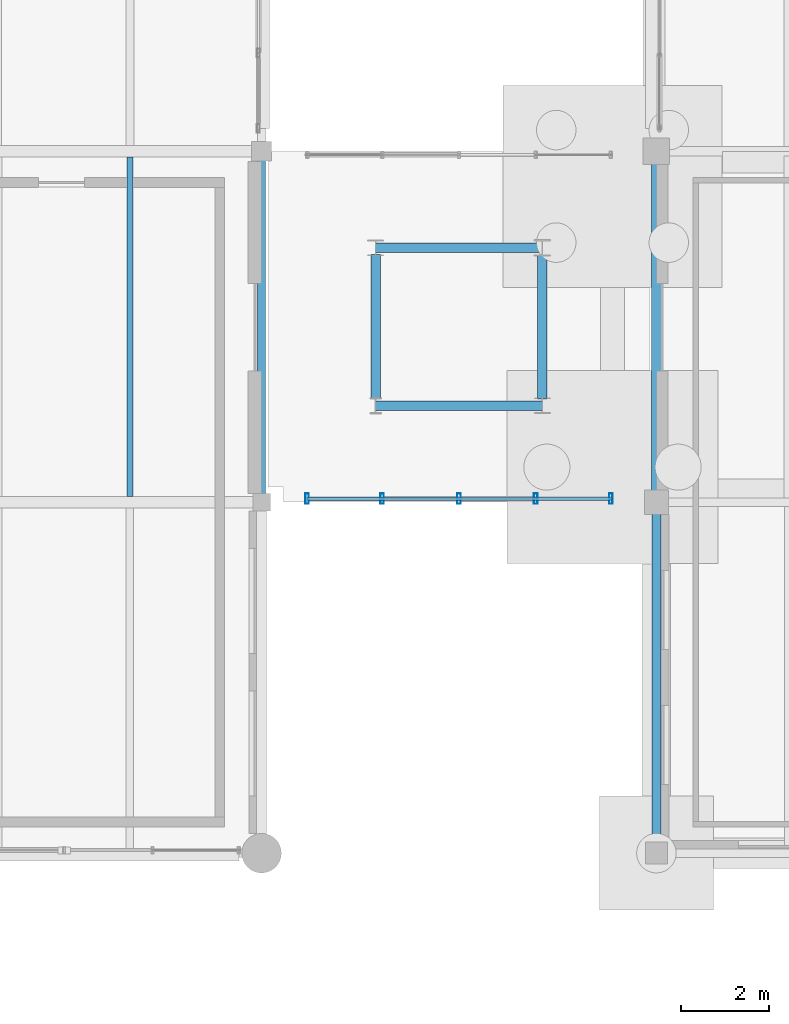
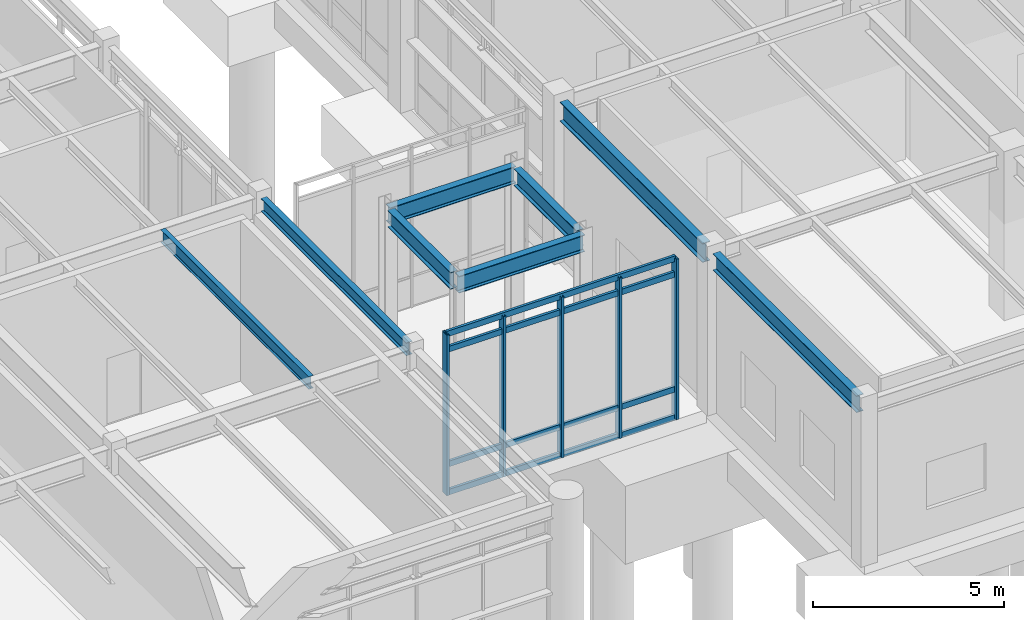
# One storey, part 95 of 203: 9 members, 8 beams, 1 element without a shape of its own.
"""IFC4 building model written with IfcOpenShell, lengths in metres."""

from ifc_helpers import new_model, si_unit, direction, frame, origin, origin_2d, place, context, subcontext, project, spatial, hollow_rectangle, i_section, extrude, material, material_profile, profile_set, type_object, element, aggregate, save


model = new_model("IFC4")

# Units and contexts
model_context = context("Model", 3, precision=1e-05, world=origin(), true_north=direction((0.0, 1.0)))
body_context = subcontext(model_context, "Body", "Model", "MODEL_VIEW")
ifc_project = project(units=[si_unit("LENGTHUNIT", "METRE"), si_unit("AREAUNIT", "SQUARE_METRE"), si_unit("VOLUMEUNIT", "CUBIC_METRE"), si_unit("PLANEANGLEUNIT", "RADIAN"), si_unit("MASSUNIT", "GRAM", prefix="KILO"), si_unit("THERMODYNAMICTEMPERATUREUNIT", "KELVIN"), si_unit("POWERUNIT", "WATT")], contexts=[model_context])

# Site, building, storey
site_placement = place(None, origin())
site = spatial("IfcSite", under=ifc_project, at=site_placement, CompositionType="ELEMENT")
building_placement = place(site_placement, origin())
building = spatial("IfcBuilding", under=site, at=building_placement, Name="Tepalcoro Natatorium and Aquatics Centre", CompositionType="ELEMENT")
storey_placement = place(building_placement, origin())
storey = spatial("IfcBuildingStorey", under=building, at=storey_placement, Name="L00", CompositionType="ELEMENT", Elevation=0.0)

# Beams
ifc_material_1 = material(Name="Steel ASTM A992 Grade 50 (Fy 345 MPa)", Category="steel")
ifc_material_profile_1 = material_profile(ifc_material_1, i_section(OverallWidth=0.2109375, OverallDepth=0.5380859375, WebThickness=0.011962890625, FlangeThickness=0.01904296875, FilletRadius=0.013916015625, at=origin_2d()), Name="W21X73")
ifc_profile_set_1 = profile_set([ifc_material_profile_1], Name="Steel ASTM A992 Grade 50 (Fy 345 MPa)")
beam_type_1 = type_object("IfcBeamType", Name="BM_LINK_LB1", PredefinedType="BEAM", material=ifc_profile_set_1)
for number, where, z_axis, x_axis, name in (
    (1, (91.60009765625, 96.199951171875, 4.89599609375), (1.0, 0.0, 0.0), (0.0, 1.0, 0.0), "Seismic passage link beam LB1 (V6N L00)"),
    (2, (91.60009765625, 99.800048828125, 4.89599609375), (1.0, 0.0, 0.0), (0.0, 1.0, 0.0), "Seismic passage link beam LB1 (V6N L00)"),
):
    element("IfcBeam", number, at=place(storey_placement, frame(where, z_axis=z_axis, x_axis=x_axis)), inside=storey, type_object=beam_type_1, Name=name, PredefinedType="BEAM", context=body_context, shape_type="SweptSolid", body=[
        extrude(i_section(OverallWidth=0.2109375, OverallDepth=0.5380859375, WebThickness=0.011962890625, FlangeThickness=0.01904296875, FilletRadius=0.013916015625, at=origin_2d()), origin(), (0.0, 0.0, 1.0), 3.7998046875),
    ])
beam_1_placement = place(storey_placement, frame((91.60009765625, 96.35693359375, 4.89599609375), z_axis=(0.0, 1.0, 0.0), x_axis=(-1.0, 0.0, 0.0)))
element("IfcBeam", 3, at=beam_1_placement, inside=storey, type_object=beam_type_1, Name="Seismic passage link beam LB1 (V6N L00)", PredefinedType="BEAM", context=body_context, shape_type="SweptSolid", body=[
    extrude(i_section(OverallWidth=0.2109375, OverallDepth=0.5380859375, WebThickness=0.011962890625, FlangeThickness=0.01904296875, FilletRadius=0.013916015625, at=origin_2d()), origin(), (0.0, 0.0, 1.0), 3.2861328125),
])
beam_2_placement = place(storey_placement, frame((95.39990234375, 96.35693359375, 4.89599609375), z_axis=(0.0, 1.0, 0.0), x_axis=(-1.0, 0.0, 0.0)))
element("IfcBeam", 4, at=beam_2_placement, inside=storey, type_object=beam_type_1, Name="Seismic passage link beam LB1 (V6N L00)", PredefinedType="BEAM", context=body_context, shape_type="SweptSolid", body=[
    extrude(i_section(OverallWidth=0.2109375, OverallDepth=0.5380859375, WebThickness=0.011962890625, FlangeThickness=0.01904296875, FilletRadius=0.013916015625, at=origin_2d()), origin(), (0.0, 0.0, 1.0), 3.280029296875),
])

# Curtain wall, members
ifc_material_2 = material(Name="Bronze-Anodised Extruded Aluminium Alloy EN AW-6063 T6", Category="aluminium")
curtain_wall_type = type_object("IfcCurtainWallType", Name="CW_LINK_150", PredefinedType="USERDEFINED", material=ifc_material_2)
curtain_wall_placement = place(storey_placement, origin())
curtain_wall = element("IfcCurtainWall", 5, at=curtain_wall_placement, inside=storey, type_object=curtain_wall_type, Name="North Spine Seismic Link Glazed Wall S L00", ObjectType="UNITISED STOREFRONT", PredefinedType="USERDEFINED")
ifc_material_profile_2 = material_profile(ifc_material_2, hollow_rectangle(XDim=0.080078125, YDim=0.239990234375, WallThickness=0.0048828125, at=origin_2d()), Name="AL80X240X5")
ifc_profile_set_2 = profile_set([ifc_material_profile_2], Name="Bronze-Anodised Extruded Aluminium Alloy EN AW-6063 T6")
member_type_1 = type_object("IfcMemberType", Name="CW_MUL_80x240", PredefinedType="MULLION", material=ifc_profile_set_2)
member_1_placement = place(storey_placement, frame((90.0400390625, 94.080078125, 0.02001953125), z_axis=(0.0, 0.0, 1.0), x_axis=(1.0, 0.0, 0.0)))
member_1 = element("IfcMember", 6, at=member_1_placement, type_object=member_type_1, Name="CW_LINK_150 Curtain Wall Mullion", PredefinedType="MULLION", context=body_context, shape_type="SweptSolid", body=[
    extrude(hollow_rectangle(XDim=0.080078125, YDim=0.239990234375, WallThickness=0.0048828125, at=origin_2d()), origin(), (0.0, 0.0, 1.0), 5.119873046875),
])
member_2_placement = place(storey_placement, frame((91.75, 94.080078125, 0.02001953125), z_axis=(0.0, 0.0, 1.0), x_axis=(1.0, 0.0, 0.0)))
member_2 = element("IfcMember", 7, at=member_2_placement, type_object=member_type_1, Name="CW_LINK_150 Curtain Wall Mullion", PredefinedType="MULLION", context=body_context, shape_type="SweptSolid", body=[
    extrude(hollow_rectangle(XDim=0.080078125, YDim=0.239990234375, WallThickness=0.0048828125, at=origin_2d()), origin(), (0.0, 0.0, 1.0), 5.119873046875),
])
member_3_placement = place(storey_placement, frame((93.5, 94.080078125, 0.02001953125), z_axis=(0.0, 0.0, 1.0), x_axis=(1.0, 0.0, 0.0)))
member_3 = element("IfcMember", 8, at=member_3_placement, type_object=member_type_1, Name="CW_LINK_150 Curtain Wall Mullion", PredefinedType="MULLION", context=body_context, shape_type="SweptSolid", body=[
    extrude(hollow_rectangle(XDim=0.080078125, YDim=0.239990234375, WallThickness=0.0048828125, at=origin_2d()), origin(), (0.0, 0.0, 1.0), 5.119873046875),
])
member_4_placement = place(storey_placement, frame((95.25, 94.080078125, 0.02001953125), z_axis=(0.0, 0.0, 1.0), x_axis=(1.0, 0.0, 0.0)))
member_4 = element("IfcMember", 9, at=member_4_placement, type_object=member_type_1, Name="CW_LINK_150 Curtain Wall Mullion", PredefinedType="MULLION", context=body_context, shape_type="SweptSolid", body=[
    extrude(hollow_rectangle(XDim=0.080078125, YDim=0.239990234375, WallThickness=0.0048828125, at=origin_2d()), origin(), (0.0, 0.0, 1.0), 5.119873046875),
])
member_5_placement = place(storey_placement, frame((96.9599609375, 94.080078125, 0.02001953125), z_axis=(0.0, 0.0, 1.0), x_axis=(1.0, 0.0, 0.0)))
member_5 = element("IfcMember", 10, at=member_5_placement, type_object=member_type_1, Name="CW_LINK_150 Curtain Wall Mullion", PredefinedType="MULLION", context=body_context, shape_type="SweptSolid", body=[
    extrude(hollow_rectangle(XDim=0.080078125, YDim=0.239990234375, WallThickness=0.0048828125, at=origin_2d()), origin(), (0.0, 0.0, 1.0), 5.119873046875),
])
ifc_material_profile_3 = material_profile(ifc_material_2, hollow_rectangle(XDim=0.080078125, YDim=0.179931640625, WallThickness=0.0048828125, at=origin_2d()), Name="AL80X180X5")
ifc_profile_set_3 = profile_set([ifc_material_profile_3], Name="Bronze-Anodised Extruded Aluminium Alloy EN AW-6063 T6")
member_type_2 = type_object("IfcMemberType", Name="CW_TRN_80x180", PredefinedType="USERDEFINED", material=ifc_profile_set_3)
member_6_placement = place(storey_placement, frame((90.050048828125, 94.080078125, 0.050048828125), z_axis=(1.0, 0.0, 0.0), x_axis=(0.0, 1.0, 0.0)))
member_6 = element("IfcMember", 11, at=member_6_placement, type_object=member_type_2, Name="CW_LINK_150 Curtain Wall Transom", ObjectType="TRANSOM", PredefinedType="USERDEFINED", context=body_context, shape_type="SweptSolid", body=[
    extrude(hollow_rectangle(XDim=0.080078125, YDim=0.179931640625, WallThickness=0.0048828125, at=origin_2d()), origin(), (0.0, 0.0, 1.0), 6.89990234375),
])
member_7_placement = place(storey_placement, frame((90.050048828125, 94.080078125, 0.949951171875), z_axis=(1.0, 0.0, 0.0), x_axis=(0.0, 1.0, 0.0)))
member_7 = element("IfcMember", 12, at=member_7_placement, type_object=member_type_2, Name="CW_LINK_150 Curtain Wall Transom", ObjectType="TRANSOM", PredefinedType="USERDEFINED", context=body_context, shape_type="SweptSolid", body=[
    extrude(hollow_rectangle(XDim=0.080078125, YDim=0.179931640625, WallThickness=0.0048828125, at=origin_2d()), origin(), (0.0, 0.0, 1.0), 6.89990234375),
])
member_8_placement = place(storey_placement, frame((90.050048828125, 94.080078125, 4.610107421875), z_axis=(1.0, 0.0, 0.0), x_axis=(0.0, 1.0, 0.0)))
member_8 = element("IfcMember", 13, at=member_8_placement, type_object=member_type_2, Name="CW_LINK_150 Curtain Wall Transom", ObjectType="TRANSOM", PredefinedType="USERDEFINED", context=body_context, shape_type="SweptSolid", body=[
    extrude(hollow_rectangle(XDim=0.080078125, YDim=0.179931640625, WallThickness=0.0048828125, at=origin_2d()), origin(), (0.0, 0.0, 1.0), 6.89990234375),
])
member_9_placement = place(storey_placement, frame((90.050048828125, 94.080078125, 5.110107421875), z_axis=(1.0, 0.0, 0.0), x_axis=(0.0, 1.0, 0.0)))
member_9 = element("IfcMember", 14, at=member_9_placement, type_object=member_type_2, Name="CW_LINK_150 Curtain Wall Transom", ObjectType="TRANSOM", PredefinedType="USERDEFINED", context=body_context, shape_type="SweptSolid", body=[
    extrude(hollow_rectangle(XDim=0.080078125, YDim=0.179931640625, WallThickness=0.0048828125, at=origin_2d()), origin(), (0.0, 0.0, 1.0), 6.89990234375),
])
aggregate(curtain_wall, [member_1, member_2, member_3, member_4, member_5, member_6, member_7, member_8, member_9])

# Beams
ifc_material_profile_4 = material_profile(ifc_material_1, i_section(OverallWidth=0.139892578125, OverallDepth=0.404052734375, WebThickness=0.007080078125, FlangeThickness=0.010986328125, FilletRadius=0.013916015625, at=origin_2d()), Name="W16X31")
ifc_profile_set_4 = profile_set([ifc_material_profile_4], Name="Steel ASTM A992 Grade 50 (Fy 345 MPa)")
beam_type_2 = type_object("IfcBeamType", Name="JS_W16x31", PredefinedType="JOIST", material=ifc_profile_set_4)
beam_3_placement = place(storey_placement, frame((86.0, 94.126953125, 4.943115234375), z_axis=(0.0, 1.0, 0.0), x_axis=(-1.0, 0.0, 0.0)))
element("IfcBeam", 15, at=beam_3_placement, inside=storey, type_object=beam_type_2, Name="V4 L00 Floor Joist", PredefinedType="JOIST", context=body_context, shape_type="SweptSolid", body=[
    extrude(i_section(OverallWidth=0.139892578125, OverallDepth=0.404052734375, WebThickness=0.007080078125, FlangeThickness=0.010986328125, FilletRadius=0.013916015625, at=origin_2d()), origin(), (0.0, 0.0, 1.0), 7.739501953125),
])
ifc_material_profile_5 = material_profile(ifc_material_1, i_section(OverallWidth=0.179931640625, OverallDepth=0.4130859375, WebThickness=0.010009765625, FlangeThickness=0.01611328125, FilletRadius=0.013916015625, at=origin_2d()), Name="W16X50")
ifc_profile_set_5 = profile_set([ifc_material_profile_5], Name="Steel ASTM A992 Grade 50 (Fy 345 MPa)")
beam_type_3 = type_object("IfcBeamType", Name="SP_HSS300x200x12", PredefinedType="SPANDREL", material=ifc_profile_set_5)
beam_4_placement = place(storey_placement, frame((89.0, 94.18505859375, 4.9384765625), z_axis=(0.0, 1.0, 0.0), x_axis=(-1.0, 0.0, 0.0)))
element("IfcBeam", 16, at=beam_4_placement, inside=storey, type_object=beam_type_3, Name="V4 L00 Grid Girder Y", PredefinedType="SPANDREL", context=body_context, shape_type="SweptSolid", body=[
    extrude(i_section(OverallWidth=0.179931640625, OverallDepth=0.4130859375, WebThickness=0.010009765625, FlangeThickness=0.01611328125, FilletRadius=0.013916015625, at=origin_2d()), origin(), (0.0, 0.0, 1.0), 7.60498046875),
])
ifc_material_profile_6 = material_profile(ifc_material_1, i_section(OverallWidth=0.2099609375, OverallDepth=0.535888671875, WebThickness=0.010986328125, FlangeThickness=0.01708984375, FilletRadius=0.013916015625, at=origin_2d()), Name="W21X68")
ifc_profile_set_6 = profile_set([ifc_material_profile_6], Name="Steel ASTM A992 Grade 50 (Fy 345 MPa)")
beam_type_4 = type_object("IfcBeamType", Name="SP_W21x68", PredefinedType="SPANDREL", material=ifc_profile_set_6)
beam_5_placement = place(storey_placement, frame((98.0, 86.235107421875, 4.85693359375), z_axis=(0.0, 1.0, 0.0), x_axis=(-1.0, 0.0, 0.0)))
element("IfcBeam", 17, at=beam_5_placement, inside=storey, type_object=beam_type_4, Name="V5 L00 Grid Girder Y", PredefinedType="SPANDREL", context=body_context, shape_type="SweptSolid", body=[
    extrude(i_section(OverallWidth=0.2099609375, OverallDepth=0.535888671875, WebThickness=0.010986328125, FlangeThickness=0.01708984375, FilletRadius=0.013916015625, at=origin_2d()), origin(), (0.0, 0.0, 1.0), 7.5048828125),
])
ifc_material_profile_7 = material_profile(ifc_material_1, i_section(OverallWidth=0.22900390625, OverallDepth=0.612060546875, WebThickness=0.011962890625, FlangeThickness=0.02001953125, FilletRadius=0.013916015625, at=origin_2d()), Name="W24X84")
ifc_profile_set_7 = profile_set([ifc_material_profile_7], Name="Steel ASTM A992 Grade 50 (Fy 345 MPa)")
beam_type_5 = type_object("IfcBeamType", Name="SP_W24x84", PredefinedType="SPANDREL", material=ifc_profile_set_7)
beam_6_placement = place(storey_placement, frame((98.0, 94.260009765625, 4.819091796875), z_axis=(0.0, 1.0, 0.0), x_axis=(-1.0, 0.0, 0.0)))
element("IfcBeam", 18, at=beam_6_placement, inside=storey, type_object=beam_type_5, Name="V5 L00 Grid Girder Y", PredefinedType="SPANDREL", context=body_context, shape_type="SweptSolid", body=[
    extrude(i_section(OverallWidth=0.22900390625, OverallDepth=0.612060546875, WebThickness=0.011962890625, FlangeThickness=0.02001953125, FilletRadius=0.013916015625, at=origin_2d()), origin(), (0.0, 0.0, 1.0), 7.455078125),
])

save(model, "model.ifc")
